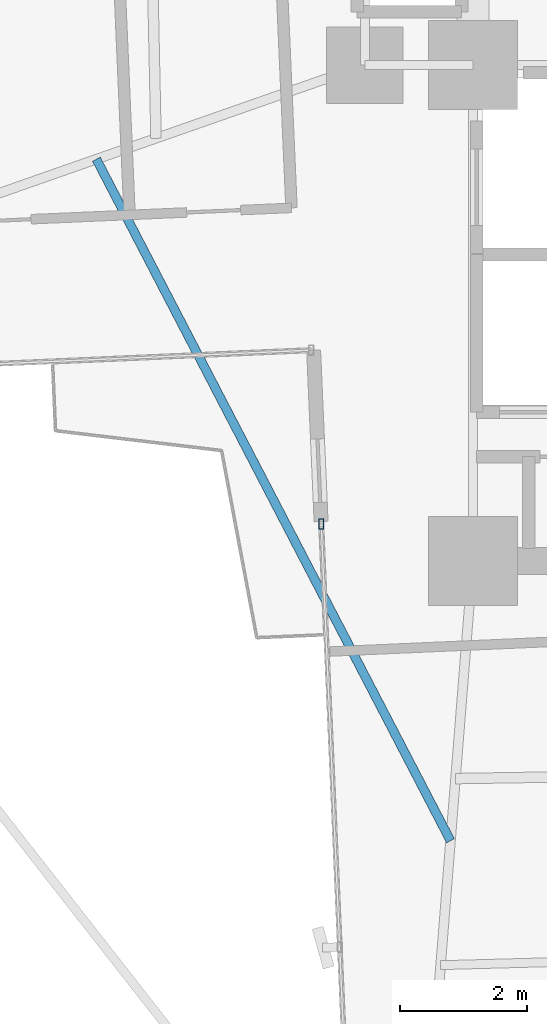
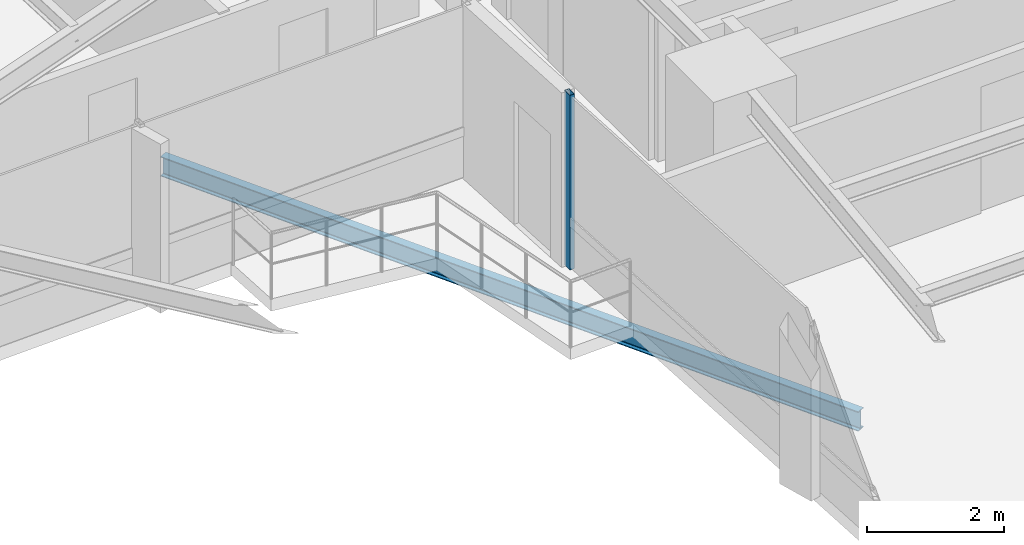
# One storey, part 5 of 26: 1 beam, 1 member, 1 element without a shape of its own.
"""IFC4 building model written with IfcOpenShell, lengths in metres."""

from ifc_helpers import new_model, si_unit, direction, frame, origin, origin_2d, place, context, subcontext, project, spatial, hollow_rectangle, i_section, extrude, source, transform, mapped, material, material_profile, profile_set, type_object, element, aggregate, save


model = new_model("IFC4")

# Units and contexts
model_context = context("Model", 3, precision=1e-05, world=origin(), true_north=direction((0.0, 1.0)))
body_context = subcontext(model_context, "Body", "Model", "MODEL_VIEW")
ifc_project = project(units=[si_unit("LENGTHUNIT", "METRE"), si_unit("AREAUNIT", "SQUARE_METRE"), si_unit("VOLUMEUNIT", "CUBIC_METRE"), si_unit("PLANEANGLEUNIT", "RADIAN"), si_unit("MASSUNIT", "GRAM", prefix="KILO")], contexts=[model_context])

# Site, building, storey
site_placement = place(None, origin())
site = spatial("IfcSite", under=ifc_project, at=site_placement, CompositionType="ELEMENT")
building_placement = place(site_placement, origin())
building = spatial("IfcBuilding", under=site, at=building_placement, Name="Sahyath Konkavel Grand Hotel", CompositionType="ELEMENT")
storey_placement = place(building_placement, frame((0.0, 0.0, 83.5)))
storey = spatial("IfcBuildingStorey", under=building, at=storey_placement, Name="L22", CompositionType="ELEMENT", Elevation=83.5)

# Curtain wall, member
ifc_material_1 = material(Name="Anodised Bronze Aluminium & Low-E Glazing", Category="aluminium")
curtain_wall_type = type_object("IfcCurtainWallType", Name="CW-ZONE2", PredefinedType="NOTDEFINED", material=ifc_material_1)
curtain_wall_placement = place(storey_placement, origin())
curtain_wall = element("IfcCurtainWall", 1, at=curtain_wall_placement, inside=storey, type_object=curtain_wall_type, Name="L22 Unitised Curtain Wall F24", PredefinedType="NOTDEFINED")
ifc_material_2 = material(Name="Anodised Bronze Aluminium", Category="aluminium")
ifc_material_profile_1 = material_profile(ifc_material_2, hollow_rectangle(XDim=0.080078125, YDim=0.159912109375, WallThickness=0.006103515625, at=origin_2d()), Name="RHS 160x80x6")
ifc_profile_set_1 = profile_set([ifc_material_profile_1], Name="Anodised Bronze Aluminium")
member_type = type_object("IfcMemberType", Name="CW-MUL-160", PredefinedType="MULLION", material=ifc_profile_set_1)
shared_shape_1 = source(origin(), body_context, "Body", "SweptSolid", [
    extrude(hollow_rectangle(XDim=0.080078125, YDim=0.159912109375, WallThickness=0.006103515625, at=origin_2d()), origin(), (0.0, 0.0, 1.0), 3.110107421875),
])
member_placement = place(storey_placement, frame((-6.186279296875, -9.618896484375, 0.0), z_axis=(0.0, 0.0, 1.0), x_axis=(1.0, 0.0, 0.0)))
member = element("IfcMember", 2, at=member_placement, type_object=member_type, Name="L22 Curtain Wall Mullion F24-0", PredefinedType="MULLION", context=body_context, shape_type="MappedRepresentation", body=[
    mapped(shared_shape_1, transform((0.0, 0.0, 0.0), scale=1.0)),
])
aggregate(curtain_wall, [member])

# Beam
ifc_material_3 = material(Name="Steel E350", Category="steel")
ifc_material_profile_2 = material_profile(ifc_material_3, i_section(OverallWidth=0.139892578125, OverallDepth=0.35009765625, WebThickness=0.008056640625, FlangeThickness=0.01416015625, FilletRadius=0.013916015625, at=origin_2d()), Name="ISMB 350")
ifc_profile_set_2 = profile_set([ifc_material_profile_2], Name="Steel E350")
beam_type = type_object("IfcBeamType", Name="BM-BALC-CANT", PredefinedType="BEAM", material=ifc_profile_set_2)
shared_shape_2 = source(origin(), body_context, "Body", "SweptSolid", [
    extrude(i_section(OverallWidth=0.139892578125, OverallDepth=0.35009765625, WebThickness=0.008056640625, FlangeThickness=0.01416015625, FilletRadius=0.013916015625, at=origin_2d()), origin(), (0.0, 0.0, 1.0), 12.085205078125),
])
beam_placement = place(storey_placement, frame((-9.7236328125, -3.87890625, -0.4150390625), z_axis=(0.461082384626, -0.887357331962, 0.0), x_axis=(0.887357331962, 0.461082384626, 0.0)))
element("IfcBeam", 3, at=beam_placement, inside=storey, type_object=beam_type, Name="L22 Balcony Cantilever Support Beam SW", PredefinedType="BEAM", context=body_context, shape_type="MappedRepresentation", body=[
    mapped(shared_shape_2, transform((0.0, 0.0, 0.0), scale=1.0)),
])

save(model, "model.ifc")
